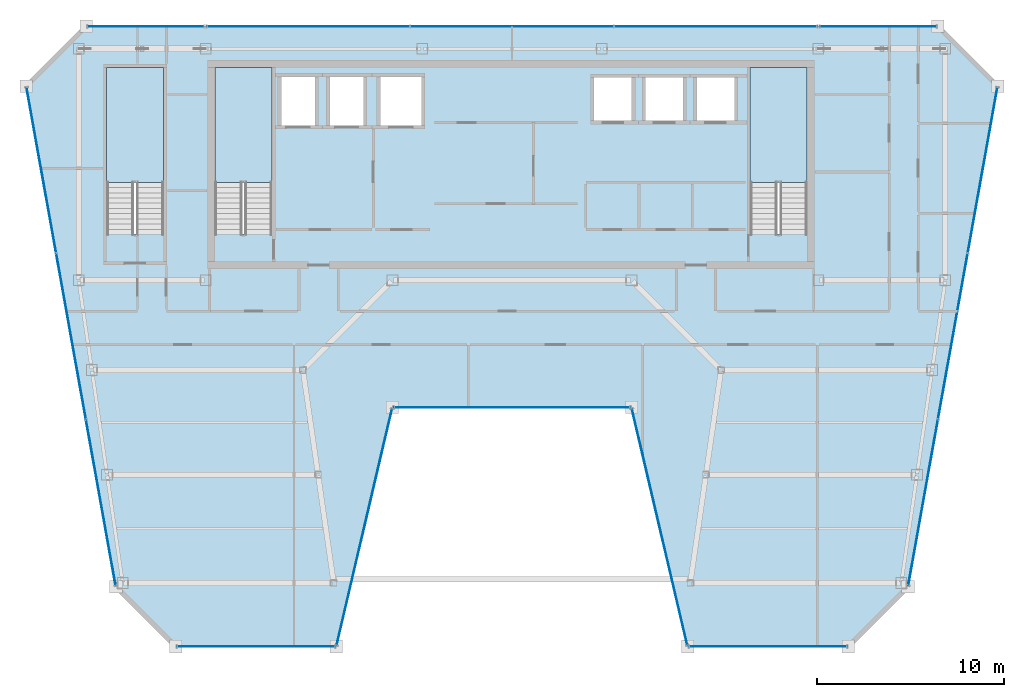
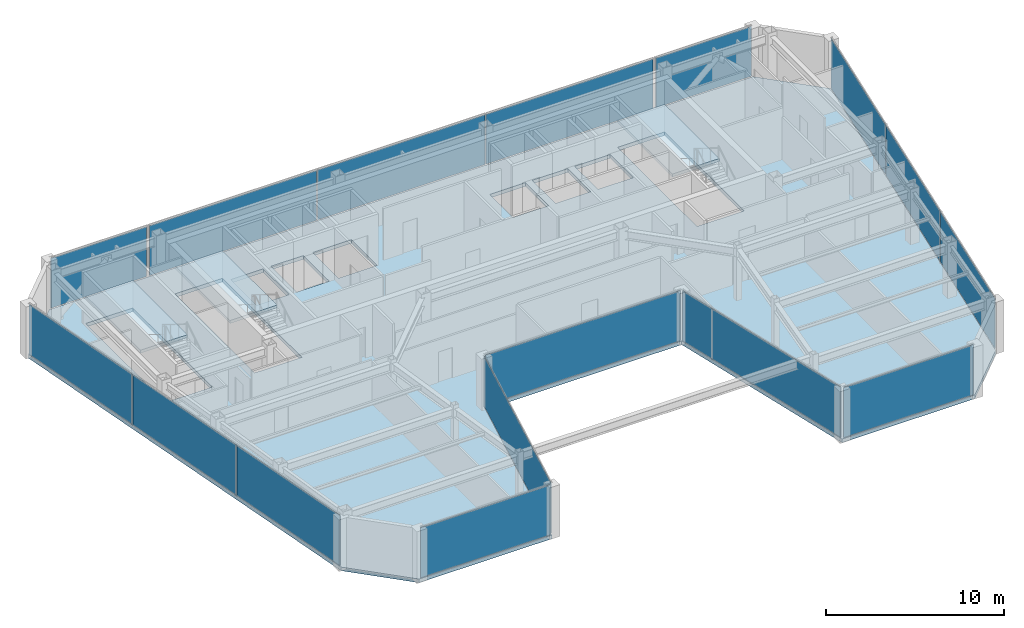
# One storey, part 25 of 32: 16 plates, 4 slabs, 13 elements without a shape of their own.
"""IFC4 building model written with IfcOpenShell, lengths in metres."""

import ifcopenshell
import ifcopenshell.guid

model = None  # the IFC model being written
_history = None  # IfcOwnerHistory: only IFC2X3 demands one
_inside = {}  # id of a spatial element -> (the spatial element, [elements in it])
_under = {}  # id of a project, library or spatial element -> (it, [spatial elements below it])
_declared = {}  # id of a project -> (the project, [libraries it declares])
_typed = {}  # id of a type object -> (the type object, [elements of that type])
_made_of = {}  # id of a material, layer set ... -> (it, [elements and type objects made of it])


def new_model(schema):
    """Start an empty IFC model of exactly this schema.

    Asked for "IFC4X3", IfcOpenShell would pick the latest addendum, in which some entities
    have other attributes; the version numbers below select the first issue.
    IFC2X3 requires an IfcOwnerHistory on every rooted entity: one is made here for all.
    """
    global model, _history
    if schema == "IFC4X3":
        model = ifcopenshell.file(schema_version=(4, 3, 0, 0))
    else:
        model = ifcopenshell.file(schema=schema)
    _inside.clear()
    _under.clear()
    _declared.clear()
    _typed.clear()
    _made_of.clear()
    _history = None
    if model.schema == "IFC2X3":
        org = make("IfcOrganization", Name="unknown")
        user = make(
            "IfcPersonAndOrganization",
            ThePerson=make("IfcPerson", FamilyName="unknown"),
            TheOrganization=org,
        )
        app = make(
            "IfcApplication",
            ApplicationDeveloper=org,
            Version="unknown",
            ApplicationFullName="unknown",
            ApplicationIdentifier="unknown",
        )
        _history = make(
            "IfcOwnerHistory",
            OwningUser=user,
            OwningApplication=app,
            ChangeAction="ADDED",
            CreationDate=0,
        )
    return model


def make(cls, **values):
    """One entity of the class cls with the attributes given. An attribute that is None is left unset."""
    return model.create_entity(
        cls, **{name: value for name, value in values.items() if value is not None}
    )


def rooted(cls, **values):
    """An entity with a GlobalId (a new one), such as an element, a storey or a relation."""
    return make(cls, GlobalId=ifcopenshell.guid.new(), OwnerHistory=_history, **values)


def si_unit(unit_type, name, prefix=None):
    """IfcSIUnit, for example si_unit("LENGTHUNIT", "METRE", prefix="MILLI")."""
    return make("IfcSIUnit", UnitType=unit_type, Prefix=prefix, Name=name)


def assignment(units):
    """IfcUnitAssignment: the units of a project."""
    return None if units is None else make("IfcUnitAssignment", Units=units)


def point(xyz):
    """IfcCartesianPoint."""
    return None if xyz is None else make("IfcCartesianPoint", Coordinates=xyz)


def direction(xyz):
    """IfcDirection."""
    return None if xyz is None else make("IfcDirection", DirectionRatios=xyz)


def frame(location, z_axis=None, x_axis=None):
    """IfcAxis2Placement3D, a coordinate frame: its origin and axes. An axis left out is left unset."""
    return make(
        "IfcAxis2Placement3D",
        Location=point(location),
        Axis=direction(z_axis),
        RefDirection=direction(x_axis),
    )


def frame_2d(location, x_axis=None):
    """IfcAxis2Placement2D, a coordinate frame in the plane: its origin and x axis."""
    return make(
        "IfcAxis2Placement2D", Location=point(location), RefDirection=direction(x_axis)
    )


def origin():
    """The frame at (0, 0, 0) with its axes left unset."""
    return frame((0.0, 0.0, 0.0))


def origin_2d():
    """The frame at (0, 0) in the plane with its x axis left unset."""
    return frame_2d((0.0, 0.0))


def place(relative_to, where):
    """IfcLocalPlacement: puts the frame where relative to a parent placement (None: the world)."""
    return make(
        "IfcLocalPlacement", PlacementRelTo=relative_to, RelativePlacement=where
    )


def context(
    kind, dimensions, precision=None, world=None, true_north=None, identifier=None
):
    """IfcGeometricRepresentationContext, for example the 3D "Model" context."""
    return make(
        "IfcGeometricRepresentationContext",
        ContextIdentifier=identifier,
        ContextType=kind,
        CoordinateSpaceDimension=dimensions,
        Precision=precision,
        WorldCoordinateSystem=world,
        TrueNorth=true_north,
    )


def subcontext(parent, identifier, kind, view, scale=None):
    """IfcGeometricRepresentationSubContext, for example "Body" below "Model"."""
    return make(
        "IfcGeometricRepresentationSubContext",
        ContextIdentifier=identifier,
        ContextType=kind,
        ParentContext=parent,
        TargetScale=scale,
        TargetView=view,
    )


def project(units=None, contexts=None):
    """IfcProject with its units and contexts."""
    return rooted(
        "IfcProject",
        Name="project",
        RepresentationContexts=contexts,
        UnitsInContext=assignment(units),
    )


def spatial(cls, under=None, at=None, **own):
    """A site, building, storey or space (cls), placed at a placement, below another one or the project."""
    s = rooted(cls, ObjectPlacement=at, **own)
    if under is not None:
        _under.setdefault(under.id(), (under, []))[1].append(s)
    return s


def polyline(points):
    """IfcPolyline through the points."""
    return make("IfcPolyline", Points=[point(p) for p in points])


def profile(cls, at=None, kind="AREA", **sizes):
    """A parametric profile (cls). Its sizes go by their IFC names, for example OverallWidth=200.0."""
    return make(cls, ProfileType=kind, Position=at, **sizes)


def rectangle(**sizes):
    """IfcRectangleProfileDef."""
    return profile("IfcRectangleProfileDef", **sizes)


def outline(outer, holes=None, kind="AREA"):
    """IfcArbitraryClosedProfileDef: a profile drawn as a closed curve; with holes, ...WithVoids."""
    if holes is None:
        return make("IfcArbitraryClosedProfileDef", ProfileType=kind, OuterCurve=outer)
    return make(
        "IfcArbitraryProfileDefWithVoids",
        ProfileType=kind,
        OuterCurve=outer,
        InnerCurves=holes,
    )


def extrude(swept, where, along, depth):
    """IfcExtrudedAreaSolid: the profile swept, set in the frame where, extruded along a direction by depth."""
    return make(
        "IfcExtrudedAreaSolid",
        SweptArea=swept,
        Position=where,
        ExtrudedDirection=direction(along),
        Depth=depth,
    )


def shape(context_of_items, identifier, shape_type, items):
    """IfcShapeRepresentation: the items that make up one representation, for example the "Body"."""
    return make(
        "IfcShapeRepresentation",
        ContextOfItems=context_of_items,
        RepresentationIdentifier=identifier,
        RepresentationType=shape_type,
        Items=items,
    )


def material(Name=None, Category=None):
    """IfcMaterial."""
    return make("IfcMaterial", Name=Name, Category=Category)


def layer(
    of_material, thickness, ventilated=None, Name=None, Category=None, Priority=None
):
    """IfcMaterialLayer: one layer of a wall or slab, of a material (None: an air gap)."""
    return make(
        "IfcMaterialLayer",
        Material=of_material,
        LayerThickness=thickness,
        IsVentilated=ventilated,
        Name=Name,
        Category=Category,
        Priority=Priority,
    )


def layer_set(layers, Name=None):
    """IfcMaterialLayerSet."""
    return make("IfcMaterialLayerSet", MaterialLayers=layers, LayerSetName=Name)


def made_of(thing, what):
    """Note that an element or type object is made of a material, layer set ...; save() writes the relation."""
    if what is not None:
        _made_of.setdefault(what.id(), (what, []))[1].append(thing)
    return thing


def type_object(cls, material=None, **own):
    """A type object (cls), such as IfcWallType, which elements share."""
    return made_of(rooted(cls, **own), material)


def element(
    cls,
    number,
    at=None,
    inside=None,
    cuts=None,
    type_object=None,
    material=None,
    context=None,
    identifier="Body",
    shape_type=None,
    held_by="IfcProductDefinitionShape",
    body=None,
    shapes=None,
    **own,
):
    """One element of the class cls, such as IfcWall. Its Tag is "e" and its number.

    at: its placement. inside: the storey or other place that contains it. cuts: it is an
    opening in that element (IfcRelVoidsElement). A single representation is given by context,
    identifier, shape_type and body (its items); several are given by shapes. held_by: the class
    of the entity that holds the representations. save() writes the other relations.
    """
    e = rooted(cls, Tag="e%d" % number, ObjectPlacement=at, **own)
    if body is not None:
        shapes = [shape(context, identifier, shape_type, body)]
    if shapes is not None:
        e.Representation = make(held_by, Representations=shapes)
    if inside is not None:
        _inside.setdefault(inside.id(), (inside, []))[1].append(e)
    if cuts is not None:
        rooted(
            "IfcRelVoidsElement", RelatingBuildingElement=cuts, RelatedOpeningElement=e
        )
    if type_object is not None:
        _typed.setdefault(type_object.id(), (type_object, []))[1].append(e)
    return made_of(e, material)


def aggregate(whole, parts):
    """IfcRelAggregates: a whole, such as a stair, and the parts it consists of."""
    return rooted("IfcRelAggregates", RelatingObject=whole, RelatedObjects=parts)


def save(model, path):
    """Write the relations noted so far, then the file.

    IfcRelAggregates (storeys below a building ...), IfcRelContainedInSpatialStructure (elements
    in a storey), IfcRelDefinesByType, IfcRelAssociatesMaterial and IfcRelDeclares: one each for
    every whole, place, type object, material and project.
    """
    for whole, parts in _under.values():
        aggregate(whole, parts)
    for where, things in _inside.values():
        rooted(
            "IfcRelContainedInSpatialStructure",
            RelatedElements=things,
            RelatingStructure=where,
        )
    for kind, things in _typed.values():
        rooted("IfcRelDefinesByType", RelatedObjects=things, RelatingType=kind)
    for what, things in _made_of.values():
        rooted("IfcRelAssociatesMaterial", RelatedObjects=things, RelatingMaterial=what)
    for by, libraries in _declared.values():
        rooted("IfcRelDeclares", RelatingContext=by, RelatedDefinitions=libraries)
    model.write(path)


model = new_model("IFC4")

# Units and contexts
model_context = context("Model", 3, precision=1e-05, world=origin(), true_north=direction((0.0, 1.0)))
body_context = subcontext(model_context, "Body", "Model", "MODEL_VIEW")
ifc_project = project(units=[si_unit("LENGTHUNIT", "METRE"), si_unit("AREAUNIT", "SQUARE_METRE"), si_unit("VOLUMEUNIT", "CUBIC_METRE"), si_unit("PLANEANGLEUNIT", "RADIAN"), si_unit("MASSUNIT", "GRAM", prefix="KILO")], contexts=[model_context])

# Site, building, storey
site_placement = place(None, origin())
site = spatial("IfcSite", under=ifc_project, at=site_placement, CompositionType="ELEMENT")
building_placement = place(site_placement, origin())
building = spatial("IfcBuilding", under=site, at=building_placement, Name="Saevonmaru Cultural Tower", CompositionType="ELEMENT")
storey_placement = place(building_placement, frame((0.0, 0.0, 264.800048828125)))
storey = spatial("IfcBuildingStorey", under=building, at=storey_placement, Name="L62", CompositionType="ELEMENT", Elevation=264.800048828125)

# Curtain wall, plate
ifc_material_1 = material(Name="Satin Bronze Anodised Aluminium", Category="aluminium")
curtain_wall_type = type_object("IfcCurtainWallType", Name="CW-TYP-B", PredefinedType="NOTDEFINED", material=ifc_material_1)
curtain_wall_1_placement = place(storey_placement, origin())
curtain_wall_1 = element("IfcCurtainWall", 1, at=curtain_wall_1_placement, inside=storey, type_object=curtain_wall_type, Name="L62 Unitised Curtain Wall E2", PredefinedType="NOTDEFINED")
ifc_material_2 = material(Name="Triple Silver Low-E Insulating Glass", Category="glass")
ifc_layer_1 = layer(ifc_material_2, 0.035888671875, Name="Triple Silver Low-E Insulating Glass")
ifc_layer_set_1 = layer_set([ifc_layer_1], Name="Triple Silver Low-E Insulating Glass")
plate_type_1 = type_object("IfcPlateType", Name="PN-GLZ-IGU", PredefinedType="CURTAIN_PANEL", material=ifc_layer_set_1)
plate_1_placement = place(storey_placement, frame((16.295654296875, 22.800048828125, 0.06689453125), z_axis=(0.0, 0.0, 1.0), x_axis=(1.0, 0.0, 0.0)))
plate_1 = element("IfcPlate", 2, at=plate_1_placement, type_object=plate_type_1, Name="CW-TW-L62-E2 panel 1.1", PredefinedType="CURTAIN_PANEL", context=body_context, shape_type="SweptSolid", body=[
    extrude(rectangle(XDim=8.410888671875, YDim=0.035888671875, at=origin_2d()), origin(), (0.0, 0.0, 1.0), 3.416015625),
])
aggregate(curtain_wall_1, [plate_1])

curtain_wall_2_placement = place(storey_placement, origin())
curtain_wall_2 = element("IfcCurtainWall", 3, at=curtain_wall_2_placement, inside=storey, type_object=curtain_wall_type, Name="L62 Unitised Curtain Wall E3", PredefinedType="NOTDEFINED")
plate_2_placement = place(storey_placement, frame((22.095703125, 29.199951171875, 0.06689453125), z_axis=(0.0, 0.0, 1.0), x_axis=(0.228189509449, 0.973616735568, 0.0)))
plate_2 = element("IfcPlate", 4, at=plate_2_placement, type_object=plate_type_1, Name="CW-TW-L62-E3 panel 1.1", PredefinedType="CURTAIN_PANEL", context=body_context, shape_type="SweptSolid", body=[
    extrude(rectangle(XDim=12.9580078125, YDim=0.035888671875, at=origin_2d()), origin(), (0.0, 0.0, 1.0), 3.416015625),
])
aggregate(curtain_wall_2, [plate_2])

curtain_wall_3_placement = place(storey_placement, origin())
curtain_wall_3 = element("IfcCurtainWall", 5, at=curtain_wall_3_placement, inside=storey, type_object=curtain_wall_type, Name="L62 Unitised Curtain Wall E4", PredefinedType="NOTDEFINED")
plate_3_placement = place(storey_placement, frame((30.0, 35.60009765625, 0.06689453125), z_axis=(0.0, 0.0, 1.0), x_axis=(1.0, 0.0, 0.0)))
plate_3 = element("IfcPlate", 6, at=plate_3_placement, type_object=plate_type_1, Name="CW-TW-L62-E4 panel 1.1", PredefinedType="CURTAIN_PANEL", context=body_context, shape_type="SweptSolid", body=[
    extrude(rectangle(XDim=12.619873046875, YDim=0.035888671875, at=origin_2d()), origin(), (0.0, 0.0, 1.0), 3.416015625),
])
aggregate(curtain_wall_3, [plate_3])

curtain_wall_4_placement = place(storey_placement, origin())
curtain_wall_4 = element("IfcCurtainWall", 7, at=curtain_wall_4_placement, inside=storey, type_object=curtain_wall_type, Name="L62 Unitised Curtain Wall E5", PredefinedType="NOTDEFINED")
plate_4_placement = place(storey_placement, frame((37.904296875, 29.199951171875, 0.06689453125), z_axis=(0.0, 0.0, 1.0), x_axis=(0.228189509449, -0.973616735568, 0.0)))
plate_4 = element("IfcPlate", 8, at=plate_4_placement, type_object=plate_type_1, Name="CW-TW-L62-E5 panel 1.1", PredefinedType="CURTAIN_PANEL", context=body_context, shape_type="SweptSolid", body=[
    extrude(rectangle(XDim=12.9580078125, YDim=0.035888671875, at=origin_2d()), origin(), (0.0, 0.0, 1.0), 3.416015625),
])
aggregate(curtain_wall_4, [plate_4])

curtain_wall_5_placement = place(storey_placement, origin())
curtain_wall_5 = element("IfcCurtainWall", 9, at=curtain_wall_5_placement, inside=storey, type_object=curtain_wall_type, Name="L62 Unitised Curtain Wall E6", PredefinedType="NOTDEFINED")
plate_5_placement = place(storey_placement, frame((43.704345703125, 22.800048828125, 0.06689453125), z_axis=(0.0, 0.0, 1.0), x_axis=(1.0, 0.0, 0.0)))
plate_5 = element("IfcPlate", 10, at=plate_5_placement, type_object=plate_type_1, Name="CW-TW-L62-E6 panel 1.1", PredefinedType="CURTAIN_PANEL", context=body_context, shape_type="SweptSolid", body=[
    extrude(rectangle(XDim=8.410888671875, YDim=0.035888671875, at=origin_2d()), origin(), (0.0, 0.0, 1.0), 3.416015625),
])
aggregate(curtain_wall_5, [plate_5])

# Curtain wall, plates
curtain_wall_6_placement = place(storey_placement, origin())
curtain_wall_6 = element("IfcCurtainWall", 11, at=curtain_wall_6_placement, inside=storey, type_object=curtain_wall_type, Name="L62 Unitised Curtain Wall E8", PredefinedType="NOTDEFINED")
plate_6_placement = place(storey_placement, frame((52.0107421875, 30.506103515625, 0.06689453125), z_axis=(0.0, 0.0, 1.0), x_axis=(0.176140740755, 0.984364993001, 0.0)))
plate_6 = element("IfcPlate", 12, at=plate_6_placement, type_object=plate_type_1, Name="CW-TW-L62-E8 panel 1.1", PredefinedType="CURTAIN_PANEL", context=body_context, shape_type="SweptSolid", body=[
    extrude(rectangle(XDim=8.96630859375, YDim=0.035888671875, at=origin_2d()), origin(), (0.0, 0.0, 1.0), 3.416015625),
])
plate_7_placement = place(storey_placement, frame((53.602294921875, 39.39990234375, 0.06689453125), z_axis=(0.0, 0.0, 1.0), x_axis=(0.176140740755, 0.984364993001, 0.0)))
plate_7 = element("IfcPlate", 13, at=plate_7_placement, type_object=plate_type_1, Name="CW-TW-L62-E8 panel 2.1", PredefinedType="CURTAIN_PANEL", context=body_context, shape_type="SweptSolid", body=[
    extrude(rectangle(XDim=8.96630859375, YDim=0.035888671875, at=origin_2d()), origin(), (0.0, 0.0, 1.0), 3.416015625),
])
plate_8_placement = place(storey_placement, frame((55.193603515625, 48.2939453125, 0.06689453125), z_axis=(0.0, 0.0, 1.0), x_axis=(0.176140740755, 0.984364993001, 0.0)))
plate_8 = element("IfcPlate", 14, at=plate_8_placement, type_object=plate_type_1, Name="CW-TW-L62-E8 panel 3.1", PredefinedType="CURTAIN_PANEL", context=body_context, shape_type="SweptSolid", body=[
    extrude(rectangle(XDim=8.96630859375, YDim=0.035888671875, at=origin_2d()), origin(), (0.0, 0.0, 1.0), 3.416015625),
])
aggregate(curtain_wall_6, [plate_6, plate_7, plate_8])

curtain_wall_7_placement = place(storey_placement, origin())
curtain_wall_7 = element("IfcCurtainWall", 15, at=curtain_wall_7_placement, inside=storey, type_object=curtain_wall_type, Name="L62 North Spine Unitised Curtain Wall E10B", PredefinedType="NOTDEFINED")
plate_9_placement = place(storey_placement, frame((40.893310546875, 56.0, 0.06689453125), z_axis=(0.0, 0.0, 1.0), x_axis=(-1.0, 0.0, 0.0)))
plate_9 = element("IfcPlate", 16, at=plate_9_placement, type_object=plate_type_1, Name="CW-TW-L62-E10B panel 1.1", PredefinedType="CURTAIN_PANEL", context=body_context, shape_type="SweptSolid", body=[
    extrude(rectangle(XDim=10.82421875, YDim=0.035888671875, at=origin_2d()), origin(), (0.0, 0.0, 1.0), 3.416015625),
])
plate_10_placement = place(storey_placement, frame((30.0, 56.0, 0.06689453125), z_axis=(0.0, 0.0, 1.0), x_axis=(-1.0, 0.0, 0.0)))
plate_10 = element("IfcPlate", 17, at=plate_10_placement, type_object=plate_type_1, Name="CW-TW-L62-E10B panel 2.1", PredefinedType="CURTAIN_PANEL", context=body_context, shape_type="SweptSolid", body=[
    extrude(rectangle(XDim=10.82421875, YDim=0.035888671875, at=origin_2d()), origin(), (0.0, 0.0, 1.0), 3.416015625),
])
plate_11_placement = place(storey_placement, frame((19.106689453125, 56.0, 0.06689453125), z_axis=(0.0, 0.0, 1.0), x_axis=(-1.0, 0.0, 0.0)))
plate_11 = element("IfcPlate", 18, at=plate_11_placement, type_object=plate_type_1, Name="CW-TW-L62-E10B panel 3.1", PredefinedType="CURTAIN_PANEL", context=body_context, shape_type="SweptSolid", body=[
    extrude(rectangle(XDim=10.82421875, YDim=0.035888671875, at=origin_2d()), origin(), (0.0, 0.0, 1.0), 3.416015625),
])
aggregate(curtain_wall_7, [plate_9, plate_10, plate_11])

curtain_wall_8_placement = place(storey_placement, origin())
curtain_wall_8 = element("IfcCurtainWall", 19, at=curtain_wall_8_placement, inside=storey, type_object=curtain_wall_type, Name="L62 Unitised Curtain Wall E12", PredefinedType="NOTDEFINED")
plate_12_placement = place(storey_placement, frame((4.806396484375, 48.2939453125, 0.06689453125), z_axis=(0.0, 0.0, 1.0), x_axis=(0.176140740755, -0.984364993001, 0.0)))
plate_12 = element("IfcPlate", 20, at=plate_12_placement, type_object=plate_type_1, Name="CW-TW-L62-E12 panel 1.1", PredefinedType="CURTAIN_PANEL", context=body_context, shape_type="SweptSolid", body=[
    extrude(rectangle(XDim=8.96630859375, YDim=0.035888671875, at=origin_2d()), origin(), (0.0, 0.0, 1.0), 3.416015625),
])
plate_13_placement = place(storey_placement, frame((6.397705078125, 39.39990234375, 0.06689453125), z_axis=(0.0, 0.0, 1.0), x_axis=(0.176140740755, -0.984364993001, 0.0)))
plate_13 = element("IfcPlate", 21, at=plate_13_placement, type_object=plate_type_1, Name="CW-TW-L62-E12 panel 2.1", PredefinedType="CURTAIN_PANEL", context=body_context, shape_type="SweptSolid", body=[
    extrude(rectangle(XDim=8.96630859375, YDim=0.035888671875, at=origin_2d()), origin(), (0.0, 0.0, 1.0), 3.416015625),
])
plate_14_placement = place(storey_placement, frame((7.9892578125, 30.506103515625, 0.06689453125), z_axis=(0.0, 0.0, 1.0), x_axis=(0.176140740755, -0.984364993001, 0.0)))
plate_14 = element("IfcPlate", 22, at=plate_14_placement, type_object=plate_type_1, Name="CW-TW-L62-E12 panel 3.1", PredefinedType="CURTAIN_PANEL", context=body_context, shape_type="SweptSolid", body=[
    extrude(rectangle(XDim=8.96630859375, YDim=0.035888671875, at=origin_2d()), origin(), (0.0, 0.0, 1.0), 3.416015625),
])
aggregate(curtain_wall_8, [plate_12, plate_13, plate_14])

# Curtain wall, plate
curtain_wall_9_placement = place(storey_placement, origin())
curtain_wall_9 = element("IfcCurtainWall", 23, at=curtain_wall_9_placement, inside=storey, type_object=curtain_wall_type, Name="L62 East Braced Bay Spandrel Curtain Wall E10A", PredefinedType="NOTDEFINED")
ifc_material_3 = material(Name="Insulated Satin Bronze Aluminium Spandrel Panel", Category="aluminium")
ifc_layer_2 = layer(ifc_material_3, 0.0400390625, Name="Insulated Satin Bronze Aluminium Spandrel Panel")
ifc_layer_set_2 = layer_set([ifc_layer_2], Name="Insulated Satin Bronze Aluminium Spandrel Panel")
plate_type_2 = type_object("IfcPlateType", Name="PN-SPANDREL-BRONZE", PredefinedType="CURTAIN_PANEL", material=ifc_layer_set_2)
plate_15_placement = place(storey_placement, frame((49.60009765625, 56.0, 0.06689453125), z_axis=(0.0, 0.0, 1.0), x_axis=(-1.0, 0.0, 0.0)))
plate_15 = element("IfcPlate", 24, at=plate_15_placement, type_object=plate_type_2, Name="CW-TW-L62-E10A panel 1.1", PredefinedType="CURTAIN_PANEL", context=body_context, shape_type="SweptSolid", body=[
    extrude(rectangle(XDim=6.2109375, YDim=0.035888671875, at=origin_2d()), origin(), (0.0, 0.0, 1.0), 3.416015625),
])
aggregate(curtain_wall_9, [plate_15])

curtain_wall_10_placement = place(storey_placement, origin())
curtain_wall_10 = element("IfcCurtainWall", 25, at=curtain_wall_10_placement, inside=storey, type_object=curtain_wall_type, Name="L62 West Braced Bay Spandrel Curtain Wall E10C", PredefinedType="NOTDEFINED")
plate_16_placement = place(storey_placement, frame((10.39990234375, 56.0, 0.06689453125), z_axis=(0.0, 0.0, 1.0), x_axis=(-1.0, 0.0, 0.0)))
plate_16 = element("IfcPlate", 26, at=plate_16_placement, type_object=plate_type_2, Name="CW-TW-L62-E10C panel 1.1", PredefinedType="CURTAIN_PANEL", context=body_context, shape_type="SweptSolid", body=[
    extrude(rectangle(XDim=6.2109375, YDim=0.035888671875, at=origin_2d()), origin(), (0.0, 0.0, 1.0), 3.416015625),
])
aggregate(curtain_wall_10, [plate_16])

# Slab
ifc_material_4 = material(Name="Concrete C40/50", Category="concrete")
ifc_layer_3 = layer(ifc_material_4, 0.25, Name="Concrete C40/50")
ifc_layer_set_3 = layer_set([ifc_layer_3], Name="Concrete C40/50")
slab_type_1 = type_object("IfcSlabType", Name="SL-FLR-250", PredefinedType="FLOOR", material=ifc_layer_set_3)
slab_1_placement = place(storey_placement, frame((0.0, 0.0, -0.25)))
element("IfcSlab", 27, at=slab_1_placement, inside=storey, type_object=slab_type_1, Name="L62 Tower Structural Floor Slab", PredefinedType="FLOOR", context=body_context, shape_type="SweptSolid", body=[
    extrude(outline(polyline([(8.795654296875, 26.0), (11.99560546875, 22.800048828125), (20.595703125, 22.800048828125), (23.595703125, 35.60009765625), (36.404296875, 35.60009765625), (39.404296875, 22.800048828125), (48.00439453125, 22.800048828125), (51.204345703125, 26.0), (56.0, 52.800048828125), (52.800048828125, 56.0), (7.199951171875, 56.0), (4.0, 52.800048828125), (8.795654296875, 26.0)]), holes=[polyline([(45.800048828125, 53.800048828125), (45.800048828125, 44.875), (42.75, 44.875), (42.75, 53.800048828125), (45.800048828125, 53.800048828125)]), polyline([(39.75, 50.800048828125), (39.75, 53.39990234375), (42.050048828125, 53.39990234375), (42.050048828125, 50.800048828125), (39.75, 50.800048828125)]), polyline([(37.0, 50.800048828125), (37.0, 53.39990234375), (39.300048828125, 53.39990234375), (39.300048828125, 50.800048828125), (37.0, 50.800048828125)]), polyline([(36.550048828125, 50.800048828125), (34.25, 50.800048828125), (34.25, 53.39990234375), (36.550048828125, 53.39990234375), (36.550048828125, 50.800048828125)]), polyline([(25.300048828125, 50.550048828125), (22.800048828125, 50.550048828125), (22.800048828125, 53.449951171875), (25.300048828125, 53.449951171875), (25.300048828125, 50.550048828125)]), polyline([(22.199951171875, 50.550048828125), (20.10009765625, 50.550048828125), (20.10009765625, 53.449951171875), (22.199951171875, 53.449951171875), (22.199951171875, 50.550048828125)]), polyline([(19.60009765625, 50.550048828125), (17.5, 50.550048828125), (17.5, 53.449951171875), (19.60009765625, 53.449951171875), (19.60009765625, 50.550048828125)]), polyline([(17.14990234375, 53.800048828125), (17.14990234375, 44.875), (14.10009765625, 44.875), (14.10009765625, 53.800048828125), (17.14990234375, 53.800048828125)]), polyline([(11.35009765625, 53.800048828125), (11.35009765625, 44.875), (8.300048828125, 44.875), (8.300048828125, 53.800048828125), (11.35009765625, 53.800048828125)])]), origin(), (0.0, 0.0, 1.0), 0.25),
])

# Stair, slab
stair_type = type_object("IfcStairType", Name="STR-DOGLEG-RC", PredefinedType="HALF_TURN_STAIR", material=ifc_material_4)
stair_1_placement = place(storey_placement, origin())
stair_1 = element("IfcStair", 28, at=stair_1_placement, inside=storey, type_object=stair_type, Name="L62 Protected exit stair ST-1", PredefinedType="HALF_TURN_STAIR")
ifc_layer_4 = layer(ifc_material_4, 0.199951171875, Name="Concrete C40/50")
ifc_layer_set_4 = layer_set([ifc_layer_4], Name="Concrete C40/50")
slab_type_2 = type_object("IfcSlabType", Name="SL-STAIR-LANDING", PredefinedType="LANDING", material=ifc_layer_set_4)
slab_2_placement = place(storey_placement, frame((0.0, 0.0, 1.699951171875)))
slab_2 = element("IfcSlab", 29, at=slab_2_placement, type_object=slab_type_2, Name="ST-1-L62 landing 1", PredefinedType="LANDING", context=body_context, shape_type="SweptSolid", body=[
    extrude(outline(polyline([(17.14990234375, 47.64990234375), (17.14990234375, 53.800048828125), (14.10009765625, 53.800048828125), (14.10009765625, 47.64990234375), (17.14990234375, 47.64990234375)])), origin(), (0.0, 0.0, 1.0), 0.199951171875),
])
aggregate(stair_1, [slab_2])

stair_2_placement = place(storey_placement, origin())
stair_2 = element("IfcStair", 30, at=stair_2_placement, inside=storey, type_object=stair_type, Name="L62 Protected exit stair ST-2", PredefinedType="HALF_TURN_STAIR")
slab_3_placement = place(storey_placement, frame((0.0, 0.0, 1.699951171875)))
slab_3 = element("IfcSlab", 31, at=slab_3_placement, type_object=slab_type_2, Name="ST-2-L62 landing 1", PredefinedType="LANDING", context=body_context, shape_type="SweptSolid", body=[
    extrude(outline(polyline([(45.800048828125, 47.64990234375), (45.800048828125, 53.800048828125), (42.75, 53.800048828125), (42.75, 47.64990234375), (45.800048828125, 47.64990234375)])), origin(), (0.0, 0.0, 1.0), 0.199951171875),
])
aggregate(stair_2, [slab_3])

stair_3_placement = place(storey_placement, origin())
stair_3 = element("IfcStair", 32, at=stair_3_placement, inside=storey, type_object=stair_type, Name="L62 Protected exit stair ST-3", PredefinedType="HALF_TURN_STAIR")
slab_4_placement = place(storey_placement, frame((0.0, 0.0, 1.699951171875)))
slab_4 = element("IfcSlab", 33, at=slab_4_placement, type_object=slab_type_2, Name="ST-3-L62 landing 1", PredefinedType="LANDING", context=body_context, shape_type="SweptSolid", body=[
    extrude(outline(polyline([(11.35009765625, 47.64990234375), (11.35009765625, 53.800048828125), (8.300048828125, 53.800048828125), (8.300048828125, 47.64990234375), (11.35009765625, 47.64990234375)])), origin(), (0.0, 0.0, 1.0), 0.199951171875),
])
aggregate(stair_3, [slab_4])

save(model, "model.ifc")
